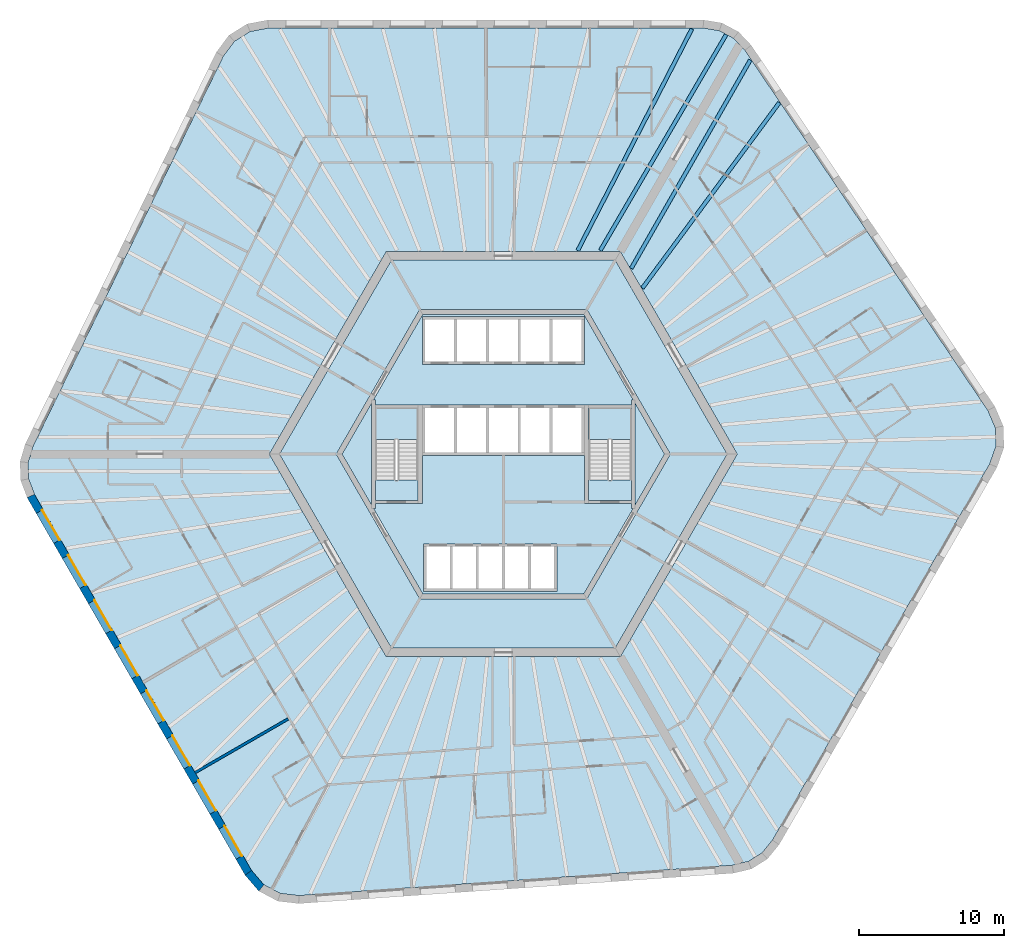
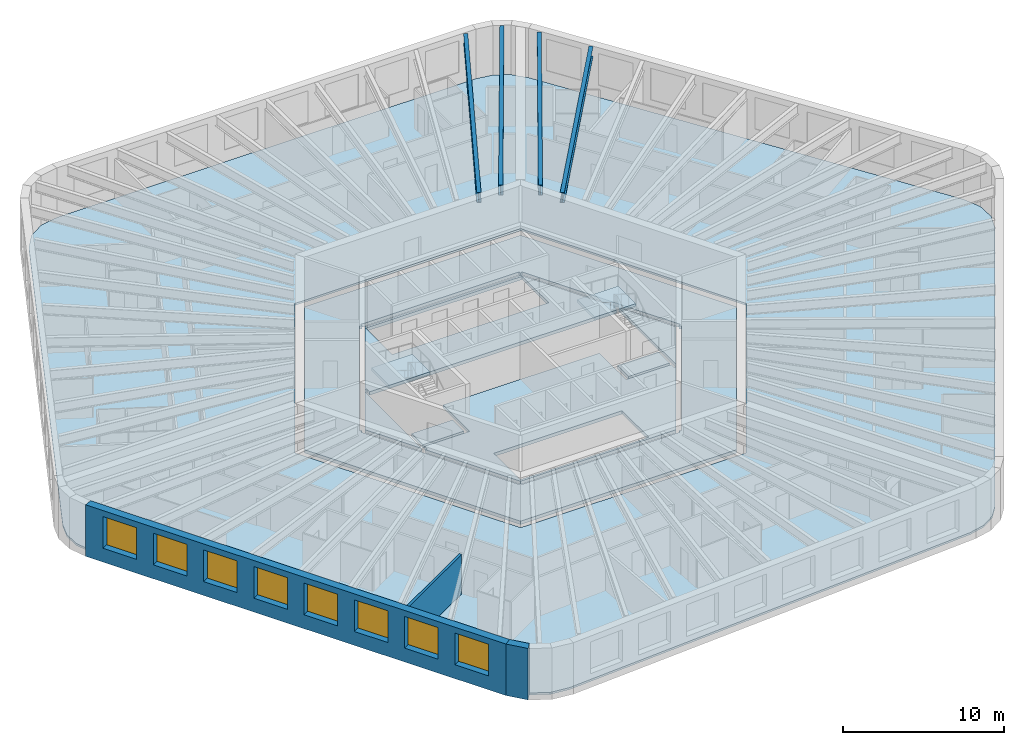
# One storey, part 2 of 12: 10 slabs, 8 windows, 4 beams, 3 walls, 8 openings, 2 elements without a shape of their own.
"""IFC4 building model written with IfcOpenShell, lengths in metres."""

from ifc_helpers import new_model, si_unit, direction, frame, frame_2d, origin, origin_2d, place, context, subcontext, project, spatial, polyline, rectangle, i_section, outline, extrude, material, layer, layer_set, material_profile, profile_set, type_object, element, fill, aggregate, save


model = new_model("IFC4")

# Units and contexts
model_context = context("Model", 3, precision=1e-05, world=origin(), true_north=direction((0.0, 1.0)))
body_context = subcontext(model_context, "Body", "Model", "MODEL_VIEW")
ifc_project = project(units=[si_unit("LENGTHUNIT", "METRE"), si_unit("AREAUNIT", "SQUARE_METRE"), si_unit("VOLUMEUNIT", "CUBIC_METRE"), si_unit("PLANEANGLEUNIT", "RADIAN"), si_unit("MASSUNIT", "GRAM", prefix="KILO")], contexts=[model_context])

# Site, building, storey
site_placement = place(None, origin())
site = spatial("IfcSite", under=ifc_project, at=site_placement, CompositionType="ELEMENT")
building_placement = place(site_placement, origin())
building = spatial("IfcBuilding", under=site, at=building_placement, Name="Tarnside Tower", CompositionType="ELEMENT")
storey_placement = place(building_placement, frame((0.0, 0.0, 72.60009765625)))
storey = spatial("IfcBuildingStorey", under=building, at=storey_placement, Name="L15", CompositionType="ELEMENT", Elevation=72.60009765625)

# Beams
ifc_material_1 = material(Name="Steel S355", Category="steel")
ifc_material_profile = material_profile(ifc_material_1, i_section(OverallWidth=0.2666015625, OverallDepth=0.76220703125, WebThickness=0.014404296875, FlangeThickness=0.021484375, FilletRadius=0.0166015625, at=origin_2d()), Name="UB 762x267x173")
ifc_profile_set = profile_set([ifc_material_profile], Name="Steel S355")
beam_type = type_object("IfcBeamType", Name="Floor beam UB 762x267x173", PredefinedType="BEAM", material=ifc_profile_set)
beam_1_placement = place(storey_placement, frame((13.0283203125, 29.37890625, 3.368896484375), z_axis=(-0.457973226459, -0.888965985765, 0.0), x_axis=(0.888965985765, -0.457973226459, 0.0)))
element("IfcBeam", 1, at=beam_1_placement, inside=storey, type_object=beam_type, Name="Floor beam F1.01", PredefinedType="BEAM", context=body_context, shape_type="SweptSolid", body=[
    extrude(i_section(OverallWidth=0.2666015625, OverallDepth=0.76220703125, WebThickness=0.014404296875, FlangeThickness=0.021484375, FilletRadius=0.0166015625, at=origin_2d()), origin(), (0.0, 0.0, 1.0), 17.219970703125),
])
beam_2_placement = place(storey_placement, frame((19.072021484375, 24.28857421875, 3.368896484375), z_axis=(-0.593986893499, -0.804474717037, 0.0), x_axis=(0.804474717037, -0.593986893499, 0.0)))
element("IfcBeam", 2, at=beam_2_placement, inside=storey, type_object=beam_type, Name="Floor beam F6.08", PredefinedType="BEAM", context=body_context, shape_type="SweptSolid", body=[
    extrude(i_section(OverallWidth=0.2666015625, OverallDepth=0.76220703125, WebThickness=0.014404296875, FlangeThickness=0.021484375, FilletRadius=0.0166015625, at=origin_2d()), origin(), (0.0, 0.0, 1.0), 15.934326171875),
])
beam_3_placement = place(storey_placement, frame((17.066162109375, 27.235107421875, 3.368896484375), z_axis=(-0.49622611841, -0.868193319145, 0.0), x_axis=(0.868193319145, -0.49622611841, 0.0)))
element("IfcBeam", 3, at=beam_3_placement, inside=storey, type_object=beam_type, Name="Floor beam F6.09", PredefinedType="BEAM", context=body_context, shape_type="SweptSolid", body=[
    extrude(i_section(OverallWidth=0.2666015625, OverallDepth=0.76220703125, WebThickness=0.014404296875, FlangeThickness=0.021484375, FilletRadius=0.0166015625, at=origin_2d()), origin(), (0.0, 0.0, 1.0), 16.586669921875),
])
beam_4_placement = place(storey_placement, frame((15.4013671875, 28.990478515625, 3.368896484375), z_axis=(-0.503858723096, -0.863786077198, 0.0), x_axis=(0.863786077198, -0.503858723096, 0.0)))
element("IfcBeam", 4, at=beam_4_placement, inside=storey, type_object=beam_type, Name="Floor beam C6", PredefinedType="BEAM", context=body_context, shape_type="SweptSolid", body=[
    extrude(i_section(OverallWidth=0.2666015625, OverallDepth=0.76220703125, WebThickness=0.014404296875, FlangeThickness=0.021484375, FilletRadius=0.0166015625, at=origin_2d()), origin(), (0.0, 0.0, 1.0), 17.2744140625),
])

# Slabs
ifc_material_2 = material(Name="Concrete C35/45", Category="concrete")
ifc_layer_1 = layer(ifc_material_2, 0.14990234375)
ifc_layer_set_1 = layer_set([ifc_layer_1], Name="Composite floor slab 150")
slab_type_1 = type_object("IfcSlabType", Name="Composite floor slab 150", PredefinedType="FLOOR", material=ifc_layer_set_1)
slab_1_placement = place(storey_placement, frame((0.0, 0.0, -0.150146484375)))
element("IfcSlab", 5, at=slab_1_placement, inside=storey, type_object=slab_type_1, Name="Floor slab L15", PredefinedType="FLOOR", context=body_context, shape_type="SweptSolid", body=[
    extrude(outline(polyline([(14.927490234375, 29.264892578125), (15.91455078125, 28.740234375), (16.697265625, 27.91064453125), (33.48583984375, 3.0205078125), (34.001220703125, 1.825439453125), (34.0458984375, 0.55078125), (33.614990234375, -0.67724609375), (18.603515625, -26.677978515625), (17.880615234375, -27.56005859375), (16.9326171875, -28.15234375), (15.82275390625, -28.41552734375), (-14.127197265625, -30.509765625), (-15.419921875, -30.358642578125), (-16.5458984375, -29.760009765625), (-17.39404296875, -28.772705078125), (-32.405517578125, -2.772216796875), (-32.80810546875, -1.704833984375), (-32.846923828125, -0.587890625), (-32.52001953125, 0.5048828125), (-19.358642578125, 27.4892578125), (-18.58154296875, 28.533203125), (-17.5, 29.208984375), (-16.220947265625, 29.449951171875), (13.802001953125, 29.449951171875), (14.927490234375, 29.264892578125)]), holes=[polyline([(-16.165771484375, 0.0), (-8.0830078125, -14.0), (8.0830078125, -14.0), (16.165771484375, 0.0), (8.0830078125, 14.0), (-8.0830078125, 14.0), (-16.165771484375, 0.0)])]), origin(), (0.0, 0.0, 1.0), 0.150146484375),
])
ifc_material_3 = material(Name="Concrete C40/50", Category="concrete")
ifc_layer_2 = layer(ifc_material_3, 0.25)
ifc_layer_set_2 = layer_set([ifc_layer_2], Name="Core slab C40/50")
slab_type_2 = type_object("IfcSlabType", Name="Core slab C40/50", PredefinedType="FLOOR", material=ifc_layer_set_2)
slab_2_placement = place(storey_placement, frame((0.0, 0.0, -0.25)))
element("IfcSlab", 6, at=slab_2_placement, inside=storey, type_object=slab_type_2, Name="L15 core floor slab 1", PredefinedType="FLOOR", context=body_context, shape_type="SweptSolid", body=[
    extrude(outline(polyline([(-15.472900390625, 0.0), (-7.736572265625, 13.39990234375), (7.736572265625, 13.39990234375), (15.472900390625, 0.0), (7.736572265625, -13.39990234375), (-7.736572265625, -13.39990234375), (-15.472900390625, 0.0)]), holes=[polyline([(5.823974609375, -9.91259765625), (11.49658203125, -0.08740234375), (11.344970703125, 0.0), (11.49658203125, 0.08740234375), (5.823974609375, 9.91259765625), (5.672607421875, 9.824951171875), (5.672607421875, 10.0), (-5.672607421875, 10.0), (-5.672607421875, 9.824951171875), (-5.823974609375, 9.91259765625), (-11.49658203125, 0.08740234375), (-11.344970703125, 0.0), (-11.49658203125, -0.08740234375), (-5.823974609375, -9.91259765625), (-5.672607421875, -9.824951171875), (-5.672607421875, -10.0), (5.672607421875, -10.0), (5.672607421875, -9.824951171875), (5.823974609375, -9.91259765625)])]), origin(), (0.0, 0.0, 1.0), 0.25),
])
slab_3_placement = place(storey_placement, frame((0.0, 0.0, -0.25)))
element("IfcSlab", 7, at=slab_3_placement, inside=storey, type_object=slab_type_2, Name="L15 core floor slab 2", PredefinedType="FLOOR", context=body_context, shape_type="SweptSolid", body=[
    extrude(outline(polyline([(-8.97509765625, 3.7548828125), (-5.5712890625, 9.64990234375), (5.5712890625, 9.64990234375), (8.97509765625, 3.7548828125), (8.85009765625, 3.7548828125), (8.85009765625, 3.39990234375), (5.89990234375, 3.39990234375), (5.60009765625, 3.39990234375), (5.60009765625, 3.39990234375), (-5.60009765625, 3.39990234375), (-5.89990234375, 3.39990234375), (-8.85009765625, 3.39990234375), (-8.85009765625, 3.7548828125), (-8.97509765625, 3.7548828125)]), holes=[polyline([(-5.60009765625, 6.199951171875), (5.60009765625, 6.199951171875), (5.60009765625, 6.39990234375), (5.60009765625, 9.300048828125), (5.60009765625, 9.5), (-5.60009765625, 9.5), (-5.60009765625, 9.300048828125), (-5.60009765625, 6.39990234375), (-5.60009765625, 6.199951171875)])]), origin(), (0.0, 0.0, 1.0), 0.25),
])
slab_4_placement = place(storey_placement, frame((0.0, 0.0, -0.25)))
element("IfcSlab", 8, at=slab_4_placement, inside=storey, type_object=slab_type_2, Name="L15 core floor slab 3", PredefinedType="FLOOR", context=body_context, shape_type="SweptSolid", body=[
    extrude(outline(polyline([(5.60009765625, -3.39990234375), (5.89990234375, -3.39990234375), (8.85009765625, -3.39990234375), (8.85009765625, -3.7548828125), (8.97509765625, -3.7548828125), (5.5712890625, -9.64990234375), (-5.5712890625, -9.64990234375), (-8.97509765625, -3.7548828125), (-8.85009765625, -3.7548828125), (-8.85009765625, -3.39990234375), (-5.89990234375, -3.39990234375), (-5.60009765625, -3.39990234375), (-5.60009765625, -0.10009765625), (5.60009765625, -0.10009765625), (5.60009765625, -3.39990234375)]), holes=[polyline([(-5.5, -9.300048828125), (-5.5, -9.5), (3.699951171875, -9.5), (3.699951171875, -9.300048828125), (3.699951171875, -6.39990234375), (3.699951171875, -6.199951171875), (-5.5, -6.199951171875), (-5.5, -6.39990234375), (-5.5, -9.300048828125)])]), origin(), (0.0, 0.0, 1.0), 0.25),
])
slab_5_placement = place(storey_placement, frame((0.0, 0.0, -0.25)))
element("IfcSlab", 9, at=slab_5_placement, inside=storey, type_object=slab_type_2, Name="L15 core floor slab 4", PredefinedType="FLOOR", context=body_context, shape_type="SweptSolid", body=[
    extrude(outline(polyline([(-11.142822265625, 0.0), (-9.10009765625, 3.538330078125), (-9.10009765625, -3.538330078125), (-11.142822265625, 0.0)])), origin(), (0.0, 0.0, 1.0), 0.25),
])
slab_6_placement = place(storey_placement, frame((0.0, 0.0, -0.25)))
element("IfcSlab", 10, at=slab_6_placement, inside=storey, type_object=slab_type_2, Name="L15 core floor slab 5", PredefinedType="FLOOR", context=body_context, shape_type="SweptSolid", body=[
    extrude(outline(polyline([(-8.85009765625, -1.800048828125), (-5.89990234375, -1.800048828125), (-5.89990234375, -3.199951171875), (-8.85009765625, -3.199951171875), (-8.85009765625, -1.800048828125)])), origin(), (0.0, 0.0, 1.0), 0.25),
])
slab_7_placement = place(storey_placement, frame((0.0, 0.0, -0.25)))
element("IfcSlab", 11, at=slab_7_placement, inside=storey, type_object=slab_type_2, Name="L15 core floor slab 6", PredefinedType="FLOOR", context=body_context, shape_type="SweptSolid", body=[
    extrude(outline(polyline([(5.89990234375, -3.199951171875), (5.89990234375, -1.800048828125), (8.85009765625, -1.800048828125), (8.85009765625, -3.199951171875), (5.89990234375, -3.199951171875)])), origin(), (0.0, 0.0, 1.0), 0.25),
])
slab_8_placement = place(storey_placement, frame((0.0, 0.0, -0.25)))
element("IfcSlab", 12, at=slab_8_placement, inside=storey, type_object=slab_type_2, Name="L15 core floor slab 7", PredefinedType="FLOOR", context=body_context, shape_type="SweptSolid", body=[
    extrude(outline(polyline([(9.10009765625, -3.538330078125), (9.10009765625, 3.538330078125), (11.142822265625, 0.0), (9.10009765625, -3.538330078125)])), origin(), (0.0, 0.0, 1.0), 0.25),
])

# Stair, slab
stair_type = type_object("IfcStairType", Name="Exit stair 1400 clear", PredefinedType="HALF_TURN_STAIR", material=ifc_material_3)
stair_1_placement = place(storey_placement, origin())
stair_1 = element("IfcStair", 13, at=stair_1_placement, inside=storey, type_object=stair_type, Name="L15 Exit stair 1", PredefinedType="HALF_TURN_STAIR")
ifc_layer_3 = layer(ifc_material_3, 0.199951171875)
ifc_layer_set_3 = layer_set([ifc_layer_3], Name="Stair landing 200 C40/50")
slab_type_3 = type_object("IfcSlabType", Name="Stair landing 200 C40/50", PredefinedType="LANDING", material=ifc_layer_set_3)
slab_9_placement = place(storey_placement, frame((0.0, 0.0, 1.75)))
slab_9 = element("IfcSlab", 14, at=slab_9_placement, type_object=slab_type_3, Name="ST1 landing 1", PredefinedType="LANDING", context=body_context, shape_type="SweptSolid", body=[
    extrude(outline(polyline([(8.85009765625, 1.0), (8.85009765625, 3.199951171875), (5.89990234375, 3.199951171875), (5.89990234375, 1.0), (8.85009765625, 1.0)])), origin(), (0.0, 0.0, 1.0), 0.199951171875),
])
aggregate(stair_1, [slab_9])

stair_2_placement = place(storey_placement, origin())
stair_2 = element("IfcStair", 15, at=stair_2_placement, inside=storey, type_object=stair_type, Name="L15 Exit stair 2", PredefinedType="HALF_TURN_STAIR")
slab_10_placement = place(storey_placement, frame((0.0, 0.0, 1.75)))
slab_10 = element("IfcSlab", 16, at=slab_10_placement, type_object=slab_type_3, Name="ST2 landing 1", PredefinedType="LANDING", context=body_context, shape_type="SweptSolid", body=[
    extrude(outline(polyline([(-5.89990234375, 1.0), (-5.89990234375, 3.199951171875), (-8.85009765625, 3.199951171875), (-8.85009765625, 1.0), (-5.89990234375, 1.0)])), origin(), (0.0, 0.0, 1.0), 0.199951171875),
])
aggregate(stair_2, [slab_10])

# Wall
ifc_material_4 = material(Name="Gypsum board partition on steel studs", Category="steel")
ifc_layer_4 = layer(ifc_material_4, 0.179931640625)
ifc_layer_set_4 = layer_set([ifc_layer_4], Name="Demising wall 180 EI 60")
wall_type_1 = type_object("IfcWallType", Name="Demising wall 180 EI 60", PredefinedType="PARTITIONING", material=ifc_layer_set_4)
wall_1_placement = place(storey_placement, frame((-21.298828125, -22.00927734375, 0.0), z_axis=(0.0, 0.0, 1.0), x_axis=(0.866014745021, 0.500018461065, 0.0)))
element("IfcWall", 17, at=wall_1_placement, inside=storey, type_object=wall_type_1, Name="Demising wall 04114", PredefinedType="PARTITIONING", context=body_context, shape_type="SweptSolid", body=[
    extrude(rectangle(XDim=7.425048828125, YDim=0.179931640625, at=frame_2d((3.71240234375, 0.0))), origin(), (0.0, 0.0, 1.0), 2.98779296875),
])

# Wall, openings, windows
ifc_material_5 = material(Name="Facing brick", Category="masonry")
ifc_layer_5 = layer(ifc_material_5, 0.10205078125)
ifc_material_6 = material(Name="Concrete C60/75 precast", Category="concrete")
ifc_layer_6 = layer(ifc_material_6, 0.347900390625)
ifc_material_7 = material(Name="Mineral wool insulation")
ifc_layer_7 = layer(ifc_material_7, 0.10009765625)
ifc_layer_set_5 = layer_set([ifc_layer_5, ifc_layer_6, ifc_layer_7], Name="Tube wall 550 brick faced")
wall_type_2 = type_object("IfcWallType", Name="Tube wall 550 brick faced", PredefinedType="SOLIDWALL", material=ifc_layer_set_5)
wall_2_placement = place(storey_placement, frame((-32.65478515625, -2.89013671875, -0.150146484375), z_axis=(0.0, 0.0, 1.0), x_axis=(0.499997711317, -0.866026725152, 0.0)))
wall_2 = element("IfcWall", 18, at=wall_2_placement, inside=storey, type_object=wall_type_2, Name="Tube wall L15 F3 flush 08", PredefinedType="SOLIDWALL", context=body_context, shape_type="SweptSolid", body=[
    extrude(outline(polyline([(-0.0224609375, -0.27490234375), (30.0966796875, -0.27490234375), (30.04541015625, 0.27490234375), (0.0224609375, 0.27490234375), (-0.0224609375, -0.27490234375)])), origin(), (0.0, 0.0, 1.0), 3.900146484375),
])
opening_1_placement = place(wall_2_placement, frame((1.235595703125, 0.0, 1.050048828125)))
opening_1 = element("IfcOpeningElement", 19, at=opening_1_placement, cuts=wall_2, Name="Opening WH", PredefinedType="OPENING", context=body_context, shape_type="SweptSolid", body=[
    extrude(rectangle(XDim=2.39990234375, YDim=2.39990234375, at=frame_2d((1.199951171875, 1.199951171875))), frame((0.0, 0.28515625, 0.0), z_axis=(0.0, -1.0, 0.0), x_axis=(1.0, 0.0, 0.0)), (0.0, 0.0, 1.0), 0.570068359375),
])
opening_2_placement = place(wall_2_placement, frame((4.83544921875, 0.0, 1.050048828125)))
opening_2 = element("IfcOpeningElement", 20, at=opening_2_placement, cuts=wall_2, Name="Opening WH", PredefinedType="OPENING", context=body_context, shape_type="SweptSolid", body=[
    extrude(rectangle(XDim=2.39990234375, YDim=2.39990234375, at=frame_2d((1.199951171875, 1.199951171875))), frame((0.0, 0.28515625, 0.0), z_axis=(0.0, -1.0, 0.0), x_axis=(1.0, 0.0, 0.0)), (0.0, 0.0, 1.0), 0.570068359375),
])
opening_3_placement = place(wall_2_placement, frame((8.435546875, 0.0, 1.050048828125)))
opening_3 = element("IfcOpeningElement", 21, at=opening_3_placement, cuts=wall_2, Name="Opening WH", PredefinedType="OPENING", context=body_context, shape_type="SweptSolid", body=[
    extrude(rectangle(XDim=2.39990234375, YDim=2.39990234375, at=frame_2d((1.199951171875, 1.199951171875))), frame((0.0, 0.28515625, 0.0), z_axis=(0.0, -1.0, 0.0), x_axis=(1.0, 0.0, 0.0)), (0.0, 0.0, 1.0), 0.570068359375),
])
opening_4_placement = place(wall_2_placement, frame((12.035400390625, 0.0, 1.050048828125)))
opening_4 = element("IfcOpeningElement", 22, at=opening_4_placement, cuts=wall_2, Name="Opening WH", PredefinedType="OPENING", context=body_context, shape_type="SweptSolid", body=[
    extrude(rectangle(XDim=2.39990234375, YDim=2.39990234375, at=frame_2d((1.199951171875, 1.199951171875))), frame((0.0, 0.28515625, 0.0), z_axis=(0.0, -1.0, 0.0), x_axis=(1.0, 0.0, 0.0)), (0.0, 0.0, 1.0), 0.570068359375),
])
opening_5_placement = place(wall_2_placement, frame((15.635498046875, 0.0, 1.050048828125)))
opening_5 = element("IfcOpeningElement", 23, at=opening_5_placement, cuts=wall_2, Name="Opening WH", PredefinedType="OPENING", context=body_context, shape_type="SweptSolid", body=[
    extrude(rectangle(XDim=2.39990234375, YDim=2.39990234375, at=frame_2d((1.199951171875, 1.199951171875))), frame((0.0, 0.28515625, 0.0), z_axis=(0.0, -1.0, 0.0), x_axis=(1.0, 0.0, 0.0)), (0.0, 0.0, 1.0), 0.570068359375),
])
opening_6_placement = place(wall_2_placement, frame((19.235595703125, 0.0, 1.050048828125)))
opening_6 = element("IfcOpeningElement", 24, at=opening_6_placement, cuts=wall_2, Name="Opening WH", PredefinedType="OPENING", context=body_context, shape_type="SweptSolid", body=[
    extrude(rectangle(XDim=2.39990234375, YDim=2.39990234375, at=frame_2d((1.199951171875, 1.199951171875))), frame((0.0, 0.28515625, 0.0), z_axis=(0.0, -1.0, 0.0), x_axis=(1.0, 0.0, 0.0)), (0.0, 0.0, 1.0), 0.570068359375),
])
opening_7_placement = place(wall_2_placement, frame((22.83544921875, 0.0, 1.050048828125)))
opening_7 = element("IfcOpeningElement", 25, at=opening_7_placement, cuts=wall_2, Name="Opening WH", PredefinedType="OPENING", context=body_context, shape_type="SweptSolid", body=[
    extrude(rectangle(XDim=2.39990234375, YDim=2.39990234375, at=frame_2d((1.199951171875, 1.199951171875))), frame((0.0, 0.28515625, 0.0), z_axis=(0.0, -1.0, 0.0), x_axis=(1.0, 0.0, 0.0)), (0.0, 0.0, 1.0), 0.570068359375),
])
opening_8_placement = place(wall_2_placement, frame((26.435546875, 0.0, 1.050048828125)))
opening_8 = element("IfcOpeningElement", 26, at=opening_8_placement, cuts=wall_2, Name="Opening WH", PredefinedType="OPENING", context=body_context, shape_type="SweptSolid", body=[
    extrude(rectangle(XDim=2.39990234375, YDim=2.39990234375, at=frame_2d((1.199951171875, 1.199951171875))), frame((0.0, 0.28515625, 0.0), z_axis=(0.0, -1.0, 0.0), x_axis=(1.0, 0.0, 0.0)), (0.0, 0.0, 1.0), 0.570068359375),
])
ifc_material_8 = material(Name="Aluminium-framed double glazing", Category="aluminium")
window_type = type_object("IfcWindowType", Name="Hotel window 2400 x 2400", PartitioningType="DOUBLE_PANEL_VERTICAL", PredefinedType="WINDOW", material=ifc_material_8)
window_1_placement = place(opening_1_placement, frame((0.0, 0.205078125, 0.0)))
window_1 = element("IfcWindow", 27, at=window_1_placement, inside=storey, type_object=window_type, Name="E.WN.L15.F3.00", OverallHeight=2.39990234375, OverallWidth=2.39990234375, PartitioningType="DOUBLE_PANEL_VERTICAL", PredefinedType="WINDOW", context=body_context, shape_type="SweptSolid", body=[
    extrude(rectangle(XDim=2.39990234375, YDim=2.39990234375, at=frame_2d((1.199951171875, 1.199951171875))), frame((0.0, 0.030029296875, 0.0), z_axis=(0.0, -1.0, 0.0), x_axis=(1.0, 0.0, 0.0)), (0.0, 0.0, 1.0), 0.06005859375),
])
fill(opening_1, window_1)
window_2_placement = place(opening_2_placement, frame((0.0, 0.205078125, 0.0)))
window_2 = element("IfcWindow", 28, at=window_2_placement, inside=storey, type_object=window_type, Name="E.WN.L15.F3.01", OverallHeight=2.39990234375, OverallWidth=2.39990234375, PartitioningType="DOUBLE_PANEL_VERTICAL", PredefinedType="WINDOW", context=body_context, shape_type="SweptSolid", body=[
    extrude(rectangle(XDim=2.39990234375, YDim=2.39990234375, at=frame_2d((1.199951171875, 1.199951171875))), frame((0.0, 0.030029296875, 0.0), z_axis=(0.0, -1.0, 0.0), x_axis=(1.0, 0.0, 0.0)), (0.0, 0.0, 1.0), 0.06005859375),
])
fill(opening_2, window_2)
window_3_placement = place(opening_3_placement, frame((0.0, 0.205078125, 0.0)))
window_3 = element("IfcWindow", 29, at=window_3_placement, inside=storey, type_object=window_type, Name="E.WN.L15.F3.02", OverallHeight=2.39990234375, OverallWidth=2.39990234375, PartitioningType="DOUBLE_PANEL_VERTICAL", PredefinedType="WINDOW", context=body_context, shape_type="SweptSolid", body=[
    extrude(rectangle(XDim=2.39990234375, YDim=2.39990234375, at=frame_2d((1.199951171875, 1.199951171875))), frame((0.0, 0.030029296875, 0.0), z_axis=(0.0, -1.0, 0.0), x_axis=(1.0, 0.0, 0.0)), (0.0, 0.0, 1.0), 0.06005859375),
])
fill(opening_3, window_3)
window_4_placement = place(opening_4_placement, frame((0.0, 0.205078125, 0.0)))
window_4 = element("IfcWindow", 30, at=window_4_placement, inside=storey, type_object=window_type, Name="E.WN.L15.F3.03", OverallHeight=2.39990234375, OverallWidth=2.39990234375, PartitioningType="DOUBLE_PANEL_VERTICAL", PredefinedType="WINDOW", context=body_context, shape_type="SweptSolid", body=[
    extrude(rectangle(XDim=2.39990234375, YDim=2.39990234375, at=frame_2d((1.199951171875, 1.199951171875))), frame((0.0, 0.030029296875, 0.0), z_axis=(0.0, -1.0, 0.0), x_axis=(1.0, 0.0, 0.0)), (0.0, 0.0, 1.0), 0.06005859375),
])
fill(opening_4, window_4)
window_5_placement = place(opening_5_placement, frame((0.0, 0.205078125, 0.0)))
window_5 = element("IfcWindow", 31, at=window_5_placement, inside=storey, type_object=window_type, Name="E.WN.L15.F3.04", OverallHeight=2.39990234375, OverallWidth=2.39990234375, PartitioningType="DOUBLE_PANEL_VERTICAL", PredefinedType="WINDOW", context=body_context, shape_type="SweptSolid", body=[
    extrude(rectangle(XDim=2.39990234375, YDim=2.39990234375, at=frame_2d((1.199951171875, 1.199951171875))), frame((0.0, 0.030029296875, 0.0), z_axis=(0.0, -1.0, 0.0), x_axis=(1.0, 0.0, 0.0)), (0.0, 0.0, 1.0), 0.06005859375),
])
fill(opening_5, window_5)
window_6_placement = place(opening_6_placement, frame((0.0, 0.205078125, 0.0)))
window_6 = element("IfcWindow", 32, at=window_6_placement, inside=storey, type_object=window_type, Name="E.WN.L15.F3.05", OverallHeight=2.39990234375, OverallWidth=2.39990234375, PartitioningType="DOUBLE_PANEL_VERTICAL", PredefinedType="WINDOW", context=body_context, shape_type="SweptSolid", body=[
    extrude(rectangle(XDim=2.39990234375, YDim=2.39990234375, at=frame_2d((1.199951171875, 1.199951171875))), frame((0.0, 0.030029296875, 0.0), z_axis=(0.0, -1.0, 0.0), x_axis=(1.0, 0.0, 0.0)), (0.0, 0.0, 1.0), 0.06005859375),
])
fill(opening_6, window_6)
window_7_placement = place(opening_7_placement, frame((0.0, 0.205078125, 0.0)))
window_7 = element("IfcWindow", 33, at=window_7_placement, inside=storey, type_object=window_type, Name="E.WN.L15.F3.06", OverallHeight=2.39990234375, OverallWidth=2.39990234375, PartitioningType="DOUBLE_PANEL_VERTICAL", PredefinedType="WINDOW", context=body_context, shape_type="SweptSolid", body=[
    extrude(rectangle(XDim=2.39990234375, YDim=2.39990234375, at=frame_2d((1.199951171875, 1.199951171875))), frame((0.0, 0.030029296875, 0.0), z_axis=(0.0, -1.0, 0.0), x_axis=(1.0, 0.0, 0.0)), (0.0, 0.0, 1.0), 0.06005859375),
])
fill(opening_7, window_7)
window_8_placement = place(opening_8_placement, frame((0.0, 0.205078125, 0.0)))
window_8 = element("IfcWindow", 34, at=window_8_placement, inside=storey, type_object=window_type, Name="E.WN.L15.F3.07", OverallHeight=2.39990234375, OverallWidth=2.39990234375, PartitioningType="DOUBLE_PANEL_VERTICAL", PredefinedType="WINDOW", context=body_context, shape_type="SweptSolid", body=[
    extrude(rectangle(XDim=2.39990234375, YDim=2.39990234375, at=frame_2d((1.199951171875, 1.199951171875))), frame((0.0, 0.030029296875, 0.0), z_axis=(0.0, -1.0, 0.0), x_axis=(1.0, 0.0, 0.0)), (0.0, 0.0, 1.0), 0.06005859375),
])
fill(opening_8, window_8)

# Wall
wall_3_placement = place(storey_placement, frame((-17.619384765625, -28.932373046875, -0.150146484375), z_axis=(0.0, 0.0, 1.0), x_axis=(0.651621950847, -0.758543890078, 0.0)))
element("IfcWall", 35, at=wall_3_placement, inside=storey, type_object=wall_type_2, Name="Tube wall L15 F3 chord 09", PredefinedType="SOLIDWALL", context=body_context, shape_type="SweptSolid", body=[
    extrude(outline(polyline([(-0.025634765625, -0.27490234375), (1.430908203125, -0.27490234375), (1.327392578125, 0.27490234375), (0.025634765625, 0.27490234375), (-0.025634765625, -0.27490234375)])), origin(), (0.0, 0.0, 1.0), 3.900146484375),
])

save(model, "model.ifc")
